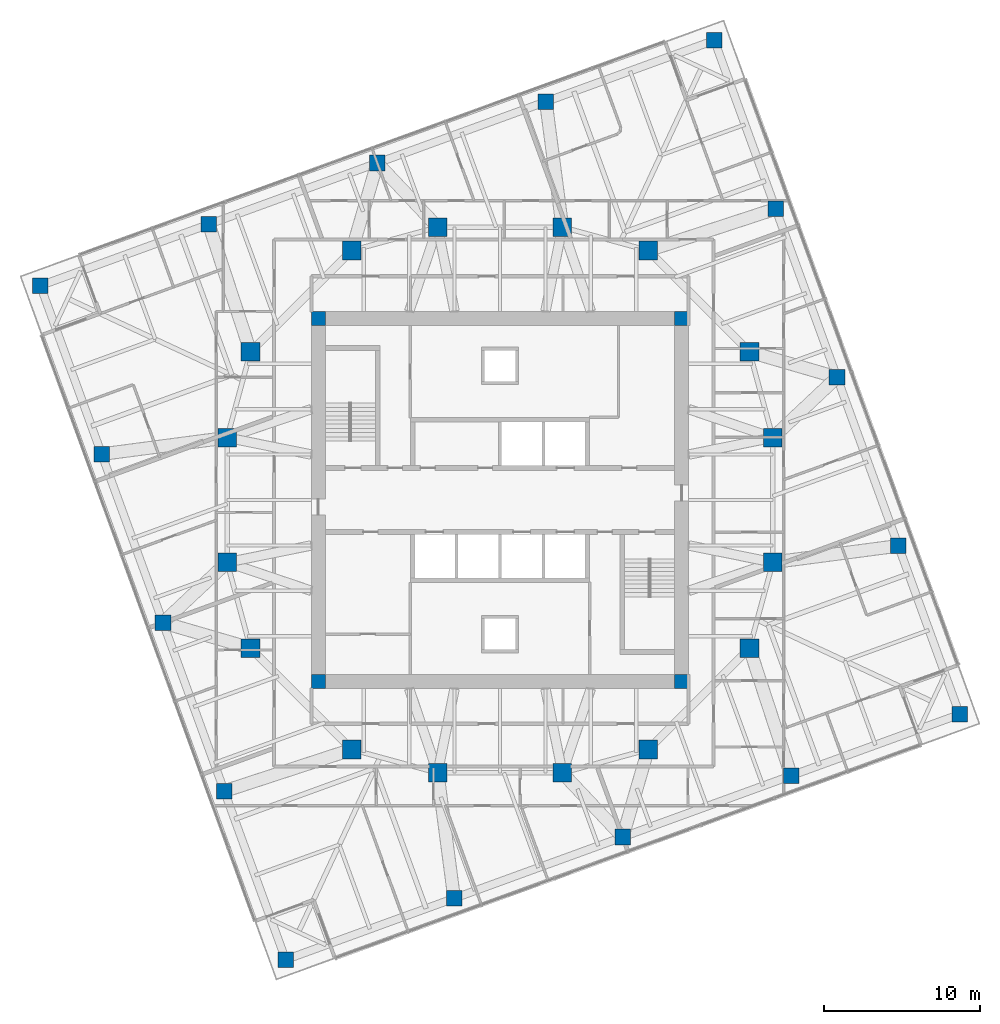
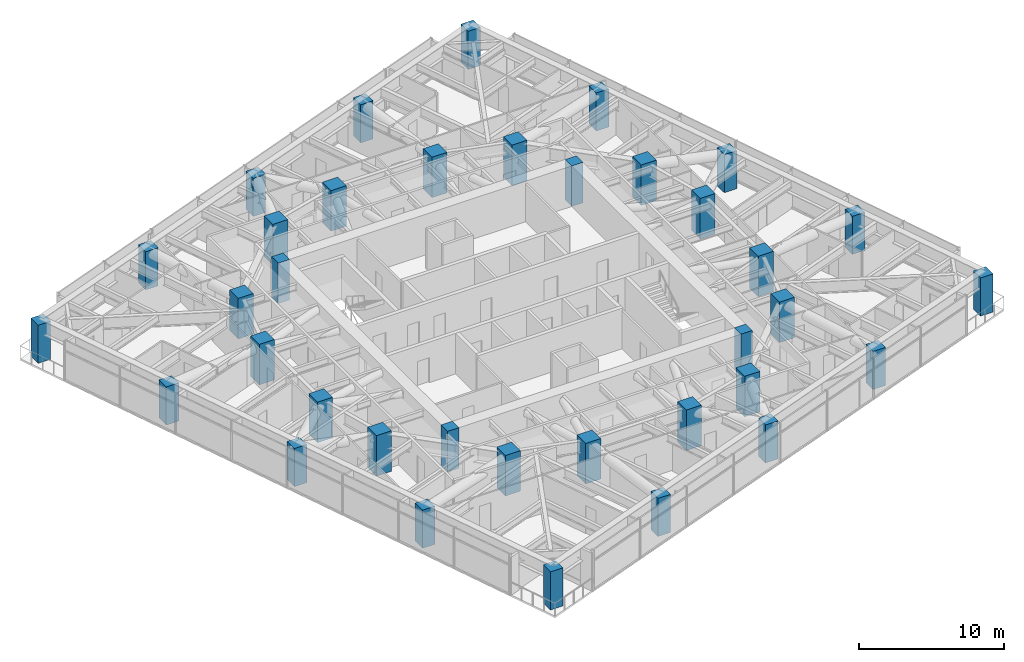
# One storey, part 1 of 16: 36 columns.
"""IFC4 building model written with IfcOpenShell, lengths in metres."""

import ifcopenshell
import ifcopenshell.guid

model = None  # the IFC model being written
_history = None  # IfcOwnerHistory: only IFC2X3 demands one
_inside = {}  # id of a spatial element -> (the spatial element, [elements in it])
_under = {}  # id of a project, library or spatial element -> (it, [spatial elements below it])
_declared = {}  # id of a project -> (the project, [libraries it declares])
_typed = {}  # id of a type object -> (the type object, [elements of that type])
_made_of = {}  # id of a material, layer set ... -> (it, [elements and type objects made of it])


def new_model(schema):
    """Start an empty IFC model of exactly this schema.

    Asked for "IFC4X3", IfcOpenShell would pick the latest addendum, in which some entities
    have other attributes; the version numbers below select the first issue.
    IFC2X3 requires an IfcOwnerHistory on every rooted entity: one is made here for all.
    """
    global model, _history
    if schema == "IFC4X3":
        model = ifcopenshell.file(schema_version=(4, 3, 0, 0))
    else:
        model = ifcopenshell.file(schema=schema)
    _inside.clear()
    _under.clear()
    _declared.clear()
    _typed.clear()
    _made_of.clear()
    _history = None
    if model.schema == "IFC2X3":
        org = make("IfcOrganization", Name="unknown")
        user = make(
            "IfcPersonAndOrganization",
            ThePerson=make("IfcPerson", FamilyName="unknown"),
            TheOrganization=org,
        )
        app = make(
            "IfcApplication",
            ApplicationDeveloper=org,
            Version="unknown",
            ApplicationFullName="unknown",
            ApplicationIdentifier="unknown",
        )
        _history = make(
            "IfcOwnerHistory",
            OwningUser=user,
            OwningApplication=app,
            ChangeAction="ADDED",
            CreationDate=0,
        )
    return model


def make(cls, **values):
    """One entity of the class cls with the attributes given. An attribute that is None is left unset."""
    return model.create_entity(
        cls, **{name: value for name, value in values.items() if value is not None}
    )


def rooted(cls, **values):
    """An entity with a GlobalId (a new one), such as an element, a storey or a relation."""
    return make(cls, GlobalId=ifcopenshell.guid.new(), OwnerHistory=_history, **values)


def si_unit(unit_type, name, prefix=None):
    """IfcSIUnit, for example si_unit("LENGTHUNIT", "METRE", prefix="MILLI")."""
    return make("IfcSIUnit", UnitType=unit_type, Prefix=prefix, Name=name)


def assignment(units):
    """IfcUnitAssignment: the units of a project."""
    return None if units is None else make("IfcUnitAssignment", Units=units)


def point(xyz):
    """IfcCartesianPoint."""
    return None if xyz is None else make("IfcCartesianPoint", Coordinates=xyz)


def direction(xyz):
    """IfcDirection."""
    return None if xyz is None else make("IfcDirection", DirectionRatios=xyz)


def frame(location, z_axis=None, x_axis=None):
    """IfcAxis2Placement3D, a coordinate frame: its origin and axes. An axis left out is left unset."""
    return make(
        "IfcAxis2Placement3D",
        Location=point(location),
        Axis=direction(z_axis),
        RefDirection=direction(x_axis),
    )


def frame_2d(location, x_axis=None):
    """IfcAxis2Placement2D, a coordinate frame in the plane: its origin and x axis."""
    return make(
        "IfcAxis2Placement2D", Location=point(location), RefDirection=direction(x_axis)
    )


def origin():
    """The frame at (0, 0, 0) with its axes left unset."""
    return frame((0.0, 0.0, 0.0))


def origin_2d():
    """The frame at (0, 0) in the plane with its x axis left unset."""
    return frame_2d((0.0, 0.0))


def place(relative_to, where):
    """IfcLocalPlacement: puts the frame where relative to a parent placement (None: the world)."""
    return make(
        "IfcLocalPlacement", PlacementRelTo=relative_to, RelativePlacement=where
    )


def context(
    kind, dimensions, precision=None, world=None, true_north=None, identifier=None
):
    """IfcGeometricRepresentationContext, for example the 3D "Model" context."""
    return make(
        "IfcGeometricRepresentationContext",
        ContextIdentifier=identifier,
        ContextType=kind,
        CoordinateSpaceDimension=dimensions,
        Precision=precision,
        WorldCoordinateSystem=world,
        TrueNorth=true_north,
    )


def subcontext(parent, identifier, kind, view, scale=None):
    """IfcGeometricRepresentationSubContext, for example "Body" below "Model"."""
    return make(
        "IfcGeometricRepresentationSubContext",
        ContextIdentifier=identifier,
        ContextType=kind,
        ParentContext=parent,
        TargetScale=scale,
        TargetView=view,
    )


def project(units=None, contexts=None):
    """IfcProject with its units and contexts."""
    return rooted(
        "IfcProject",
        Name="project",
        RepresentationContexts=contexts,
        UnitsInContext=assignment(units),
    )


def spatial(cls, under=None, at=None, **own):
    """A site, building, storey or space (cls), placed at a placement, below another one or the project."""
    s = rooted(cls, ObjectPlacement=at, **own)
    if under is not None:
        _under.setdefault(under.id(), (under, []))[1].append(s)
    return s


def profile(cls, at=None, kind="AREA", **sizes):
    """A parametric profile (cls). Its sizes go by their IFC names, for example OverallWidth=200.0."""
    return make(cls, ProfileType=kind, Position=at, **sizes)


def rectangle(**sizes):
    """IfcRectangleProfileDef."""
    return profile("IfcRectangleProfileDef", **sizes)


def extrude(swept, where, along, depth):
    """IfcExtrudedAreaSolid: the profile swept, set in the frame where, extruded along a direction by depth."""
    return make(
        "IfcExtrudedAreaSolid",
        SweptArea=swept,
        Position=where,
        ExtrudedDirection=direction(along),
        Depth=depth,
    )


def shape(context_of_items, identifier, shape_type, items):
    """IfcShapeRepresentation: the items that make up one representation, for example the "Body"."""
    return make(
        "IfcShapeRepresentation",
        ContextOfItems=context_of_items,
        RepresentationIdentifier=identifier,
        RepresentationType=shape_type,
        Items=items,
    )


def material(Name=None, Category=None):
    """IfcMaterial."""
    return make("IfcMaterial", Name=Name, Category=Category)


def material_profile(
    of_material, cross_section, Name=None, Category=None, Priority=None
):
    """IfcMaterialProfile: a cross section and its material."""
    return make(
        "IfcMaterialProfile",
        Name=Name,
        Material=of_material,
        Profile=cross_section,
        Priority=Priority,
        Category=Category,
    )


def profile_set(profiles, Name=None, composite=None):
    """IfcMaterialProfileSet."""
    return make(
        "IfcMaterialProfileSet",
        Name=Name,
        MaterialProfiles=profiles,
        CompositeProfile=composite,
    )


def made_of(thing, what):
    """Note that an element or type object is made of a material, layer set ...; save() writes the relation."""
    if what is not None:
        _made_of.setdefault(what.id(), (what, []))[1].append(thing)
    return thing


def type_object(cls, material=None, **own):
    """A type object (cls), such as IfcWallType, which elements share."""
    return made_of(rooted(cls, **own), material)


def element(
    cls,
    number,
    at=None,
    inside=None,
    cuts=None,
    type_object=None,
    material=None,
    context=None,
    identifier="Body",
    shape_type=None,
    held_by="IfcProductDefinitionShape",
    body=None,
    shapes=None,
    **own,
):
    """One element of the class cls, such as IfcWall. Its Tag is "e" and its number.

    at: its placement. inside: the storey or other place that contains it. cuts: it is an
    opening in that element (IfcRelVoidsElement). A single representation is given by context,
    identifier, shape_type and body (its items); several are given by shapes. held_by: the class
    of the entity that holds the representations. save() writes the other relations.
    """
    e = rooted(cls, Tag="e%d" % number, ObjectPlacement=at, **own)
    if body is not None:
        shapes = [shape(context, identifier, shape_type, body)]
    if shapes is not None:
        e.Representation = make(held_by, Representations=shapes)
    if inside is not None:
        _inside.setdefault(inside.id(), (inside, []))[1].append(e)
    if cuts is not None:
        rooted(
            "IfcRelVoidsElement", RelatingBuildingElement=cuts, RelatedOpeningElement=e
        )
    if type_object is not None:
        _typed.setdefault(type_object.id(), (type_object, []))[1].append(e)
    return made_of(e, material)


def aggregate(whole, parts):
    """IfcRelAggregates: a whole, such as a stair, and the parts it consists of."""
    return rooted("IfcRelAggregates", RelatingObject=whole, RelatedObjects=parts)


def save(model, path):
    """Write the relations noted so far, then the file.

    IfcRelAggregates (storeys below a building ...), IfcRelContainedInSpatialStructure (elements
    in a storey), IfcRelDefinesByType, IfcRelAssociatesMaterial and IfcRelDeclares: one each for
    every whole, place, type object, material and project.
    """
    for whole, parts in _under.values():
        aggregate(whole, parts)
    for where, things in _inside.values():
        rooted(
            "IfcRelContainedInSpatialStructure",
            RelatedElements=things,
            RelatingStructure=where,
        )
    for kind, things in _typed.values():
        rooted("IfcRelDefinesByType", RelatedObjects=things, RelatingType=kind)
    for what, things in _made_of.values():
        rooted("IfcRelAssociatesMaterial", RelatedObjects=things, RelatingMaterial=what)
    for by, libraries in _declared.values():
        rooted("IfcRelDeclares", RelatingContext=by, RelatedDefinitions=libraries)
    model.write(path)


model = new_model("IFC4")

# Units and contexts
model_context = context("Model", 3, precision=1e-05, world=origin(), true_north=direction((0.0, 1.0)))
body_context = subcontext(model_context, "Body", "Model", "MODEL_VIEW")
ifc_project = project(units=[si_unit("LENGTHUNIT", "METRE"), si_unit("AREAUNIT", "SQUARE_METRE"), si_unit("VOLUMEUNIT", "CUBIC_METRE"), si_unit("PLANEANGLEUNIT", "RADIAN"), si_unit("MASSUNIT", "GRAM", prefix="KILO")], contexts=[model_context])

# Site, building, storey
site_placement = place(None, origin())
site = spatial("IfcSite", under=ifc_project, at=site_placement, CompositionType="ELEMENT")
building_placement = place(site_placement, origin())
building = spatial("IfcBuilding", under=site, at=building_placement, Name="Torsade Residences", CompositionType="ELEMENT")
storey_placement = place(building_placement, frame((0.0, 0.0, 167.60009765625)))
storey = spatial("IfcBuildingStorey", under=building, at=storey_placement, Name="L46", CompositionType="ELEMENT", Elevation=167.60009765625)

# Columns
ifc_material_1 = material(Name="Concrete 80 MPa", Category="concrete")
ifc_material_profile_1 = material_profile(ifc_material_1, rectangle(XDim=0.89990234375, YDim=0.89990234375, at=origin_2d()), Name="RC 900x900")
ifc_profile_set_1 = profile_set([ifc_material_profile_1], Name="Concrete 80 MPa")
column_type_1 = type_object("IfcColumnType", Name="CORE CORNER COLUMN RC 900x900", PredefinedType="COLUMN", material=ifc_profile_set_1)
for number, where, z_axis, x_axis, name in (
    (1, (28.35009765625, 18.35009765625, 0.0), (0.0, 0.0, 1.0), (1.0, 0.0, 0.0), "Core corner column CC1 L46"),
    (2, (51.64990234375, 18.35009765625, 0.0), (0.0, 0.0, 1.0), (1.0, 0.0, 0.0), "Core corner column CC2 L46"),
    (3, (51.64990234375, 41.64990234375, 0.0), (0.0, 0.0, 1.0), (1.0, 0.0, 0.0), "Core corner column CC3 L46"),
    (4, (28.35009765625, 41.64990234375, 0.0), (0.0, 0.0, 1.0), (1.0, 0.0, 0.0), "Core corner column CC4 L46"),
):
    element("IfcColumn", number, at=place(storey_placement, frame(where, z_axis=z_axis, x_axis=x_axis)), inside=storey, type_object=column_type_1, Name=name, PredefinedType="COLUMN", context=body_context, shape_type="SweptSolid", body=[
        extrude(rectangle(XDim=0.89990234375, YDim=0.89990234375, at=origin_2d()), origin(), (0.0, 0.0, 1.0), 3.39990234375),
    ])
ifc_material_2 = material(Name="Concrete 80 MPa", Category="concrete")
ifc_material_profile_2 = material_profile(ifc_material_2, rectangle(XDim=1.199951171875, YDim=1.199951171875, at=origin_2d()), Name="RC 1200x1200")
ifc_profile_set_2 = profile_set([ifc_material_profile_2], Name="Concrete 80 MPa")
column_type_2 = type_object("IfcColumnType", Name="INNER RING COLUMN RC 1200x1200", PredefinedType="COLUMN", material=ifc_profile_set_2)
for number, where, z_axis, x_axis, name in (
    (5, (57.5, 26.0, 0.0), (0.0, 0.0, 1.0), (1.0, 0.0, 0.0), "Inner ring column IR01 L46"),
    (6, (57.5, 34.0, 0.0), (0.0, 0.0, 1.0), (1.0, 0.0, 0.0), "Inner ring column IR02 L46"),
    (7, (56.0, 39.5, 0.0), (0.0, 0.0, 1.0), (1.0, 0.0, 0.0), "Inner ring column IR03 L46"),
    (8, (49.5, 46.0, 0.0), (0.0, 0.0, 1.0), (1.0, 0.0, 0.0), "Inner ring column IR04 L46"),
    (9, (44.0, 47.5, 0.0), (0.0, 0.0, 1.0), (1.0, 0.0, 0.0), "Inner ring column IR05 L46"),
    (10, (36.0, 47.5, 0.0), (0.0, 0.0, 1.0), (1.0, 0.0, 0.0), "Inner ring column IR06 L46"),
    (11, (30.5, 46.0, 0.0), (0.0, 0.0, 1.0), (1.0, 0.0, 0.0), "Inner ring column IR07 L46"),
    (12, (24.0, 39.5, 0.0), (0.0, 0.0, 1.0), (1.0, 0.0, 0.0), "Inner ring column IR08 L46"),
    (13, (22.5, 34.0, 0.0), (0.0, 0.0, 1.0), (1.0, 0.0, 0.0), "Inner ring column IR09 L46"),
    (14, (22.5, 26.0, 0.0), (0.0, 0.0, 1.0), (1.0, 0.0, 0.0), "Inner ring column IR10 L46"),
    (15, (24.0, 20.5, 0.0), (0.0, 0.0, 1.0), (1.0, 0.0, 0.0), "Inner ring column IR11 L46"),
    (16, (30.5, 14.0, 0.0), (0.0, 0.0, 1.0), (1.0, 0.0, 0.0), "Inner ring column IR12 L46"),
    (17, (36.0, 12.5, 0.0), (0.0, 0.0, 1.0), (1.0, 0.0, 0.0), "Inner ring column IR13 L46"),
    (18, (44.0, 12.5, 0.0), (0.0, 0.0, 1.0), (1.0, 0.0, 0.0), "Inner ring column IR14 L46"),
    (19, (49.5, 14.0, 0.0), (0.0, 0.0, 1.0), (1.0, 0.0, 0.0), "Inner ring column IR15 L46"),
    (20, (56.0, 20.5, 0.0), (0.0, 0.0, 1.0), (1.0, 0.0, 0.0), "Inner ring column IR16 L46"),
):
    element("IfcColumn", number, at=place(storey_placement, frame(where, z_axis=z_axis, x_axis=x_axis)), inside=storey, type_object=column_type_2, Name=name, PredefinedType="COLUMN", context=body_context, shape_type="SweptSolid", body=[
        extrude(rectangle(XDim=1.199951171875, YDim=1.199951171875, at=origin_2d()), origin(), (0.0, 0.0, 1.0), 3.39990234375),
    ])
ifc_material_3 = material(Name="Concrete 80 MPa", Category="concrete")
ifc_material_profile_3 = material_profile(ifc_material_3, rectangle(XDim=1.0, YDim=1.0, at=origin_2d()), Name="RC 1000x1000")
ifc_profile_set_3 = profile_set([ifc_material_profile_3], Name="Concrete 80 MPa")
column_type_3 = type_object("IfcColumnType", Name="TOWER COLUMN RC 1000x1000", PredefinedType="COLUMN", material=ifc_profile_set_3)
for number, where, z_axis, x_axis, name in (
    (21, (26.25341796875, 0.5205078125, 0.0), (0.0, 0.0, 1.0), (1.0, 0.0, 0.0), "Column TC5-01 L46"),
    (22, (37.06005859375, 4.453857421875, 0.0), (0.0, 0.0, 1.0), (1.0, 0.0, 0.0), "Column TC5-02 L46"),
    (23, (47.866455078125, 8.386962890625, 0.0), (0.0, 0.0, 1.0), (1.0, 0.0, 0.0), "Column TC5-03 L46"),
    (24, (58.6728515625, 12.3203125, 0.0), (0.0, 0.0, 1.0), (1.0, 0.0, 0.0), "Column TC5-04 L46"),
    (25, (69.4794921875, 16.25341796875, 0.0), (0.0, 0.0, 1.0), (1.0, 0.0, 0.0), "Column TC5-05 L46"),
    (26, (65.546142578125, 27.06005859375, 0.0), (0.0, 0.0, 1.0), (1.0, 0.0, 0.0), "Column TC5-06 L46"),
    (27, (61.613037109375, 37.866455078125, 0.0), (0.0, 0.0, 1.0), (1.0, 0.0, 0.0), "Column TC5-07 L46"),
    (28, (57.6796875, 48.6728515625, 0.0), (0.0, 0.0, 1.0), (1.0, 0.0, 0.0), "Column TC5-08 L46"),
    (29, (53.74658203125, 59.4794921875, 0.0), (0.0, 0.0, 1.0), (1.0, 0.0, 0.0), "Column TC5-09 L46"),
    (30, (42.93994140625, 55.546142578125, 0.0), (0.0, 0.0, 1.0), (1.0, 0.0, 0.0), "Column TC5-10 L46"),
    (31, (32.133544921875, 51.613037109375, 0.0), (0.0, 0.0, 1.0), (1.0, 0.0, 0.0), "Column TC5-11 L46"),
    (32, (21.3271484375, 47.6796875, 0.0), (0.0, 0.0, 1.0), (1.0, 0.0, 0.0), "Column TC5-12 L46"),
    (33, (10.5205078125, 43.74658203125, 0.0), (0.0, 0.0, 1.0), (1.0, 0.0, 0.0), "Column TC5-13 L46"),
    (34, (14.453857421875, 32.93994140625, 0.0), (0.0, 0.0, 1.0), (1.0, 0.0, 0.0), "Column TC5-14 L46"),
    (35, (18.386962890625, 22.133544921875, 0.0), (0.0, 0.0, 1.0), (1.0, 0.0, 0.0), "Column TC5-15 L46"),
    (36, (22.3203125, 11.3271484375, 0.0), (0.0, 0.0, 1.0), (1.0, 0.0, 0.0), "Column TC5-16 L46"),
):
    element("IfcColumn", number, at=place(storey_placement, frame(where, z_axis=z_axis, x_axis=x_axis)), inside=storey, type_object=column_type_3, Name=name, PredefinedType="COLUMN", context=body_context, shape_type="SweptSolid", body=[
        extrude(rectangle(XDim=1.0, YDim=1.0, at=origin_2d()), origin(), (0.0, 0.0, 1.0), 3.199951171875),
    ])

save(model, "model.ifc")
